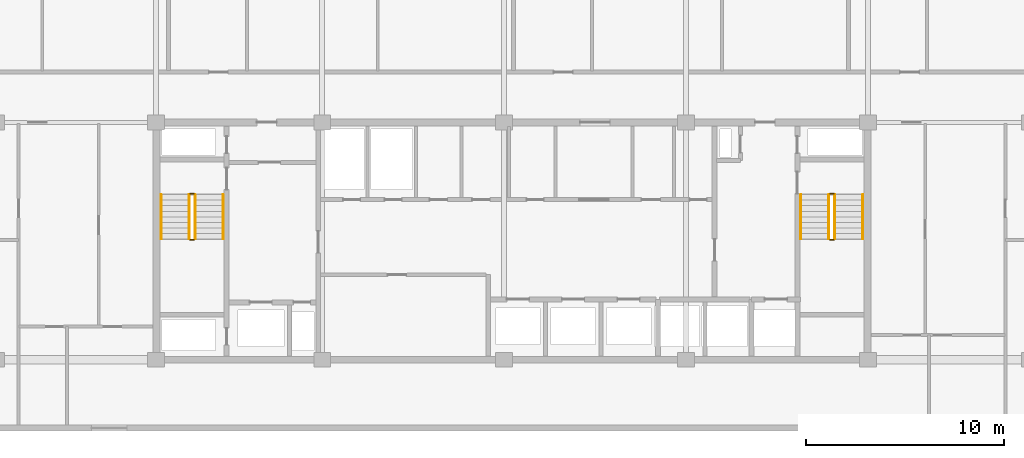
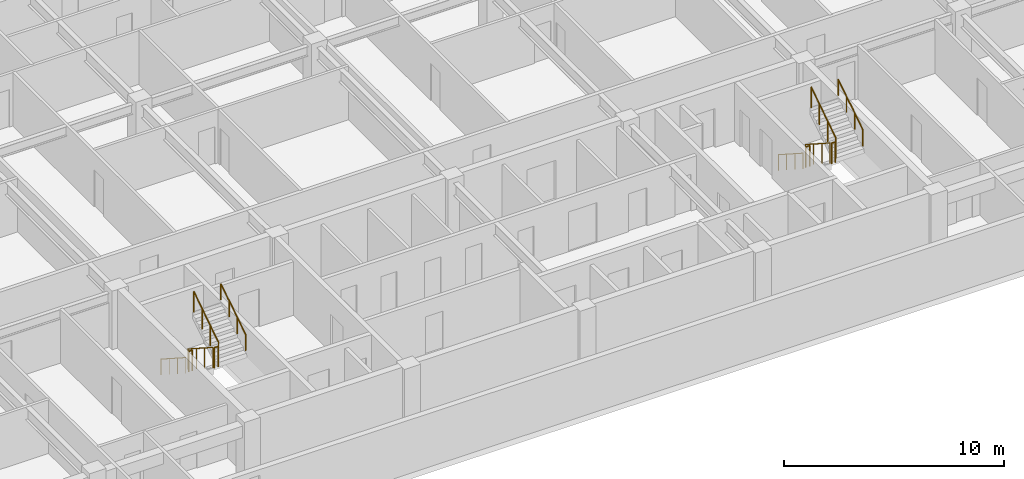
# One storey, part 22 of 23: 12 railings.
"""IFC4 building model written with IfcOpenShell, lengths in metres."""

import ifcopenshell
import ifcopenshell.guid

model = None  # the IFC model being written
_history = None  # IfcOwnerHistory: only IFC2X3 demands one
_inside = {}  # id of a spatial element -> (the spatial element, [elements in it])
_under = {}  # id of a project, library or spatial element -> (it, [spatial elements below it])
_declared = {}  # id of a project -> (the project, [libraries it declares])
_typed = {}  # id of a type object -> (the type object, [elements of that type])
_made_of = {}  # id of a material, layer set ... -> (it, [elements and type objects made of it])


def new_model(schema):
    """Start an empty IFC model of exactly this schema.

    Asked for "IFC4X3", IfcOpenShell would pick the latest addendum, in which some entities
    have other attributes; the version numbers below select the first issue.
    IFC2X3 requires an IfcOwnerHistory on every rooted entity: one is made here for all.
    """
    global model, _history
    if schema == "IFC4X3":
        model = ifcopenshell.file(schema_version=(4, 3, 0, 0))
    else:
        model = ifcopenshell.file(schema=schema)
    _inside.clear()
    _under.clear()
    _declared.clear()
    _typed.clear()
    _made_of.clear()
    _history = None
    if model.schema == "IFC2X3":
        org = make("IfcOrganization", Name="unknown")
        user = make(
            "IfcPersonAndOrganization",
            ThePerson=make("IfcPerson", FamilyName="unknown"),
            TheOrganization=org,
        )
        app = make(
            "IfcApplication",
            ApplicationDeveloper=org,
            Version="unknown",
            ApplicationFullName="unknown",
            ApplicationIdentifier="unknown",
        )
        _history = make(
            "IfcOwnerHistory",
            OwningUser=user,
            OwningApplication=app,
            ChangeAction="ADDED",
            CreationDate=0,
        )
    return model


def make(cls, **values):
    """One entity of the class cls with the attributes given. An attribute that is None is left unset."""
    return model.create_entity(
        cls, **{name: value for name, value in values.items() if value is not None}
    )


def rooted(cls, **values):
    """An entity with a GlobalId (a new one), such as an element, a storey or a relation."""
    return make(cls, GlobalId=ifcopenshell.guid.new(), OwnerHistory=_history, **values)


def si_unit(unit_type, name, prefix=None):
    """IfcSIUnit, for example si_unit("LENGTHUNIT", "METRE", prefix="MILLI")."""
    return make("IfcSIUnit", UnitType=unit_type, Prefix=prefix, Name=name)


def assignment(units):
    """IfcUnitAssignment: the units of a project."""
    return None if units is None else make("IfcUnitAssignment", Units=units)


def point(xyz):
    """IfcCartesianPoint."""
    return None if xyz is None else make("IfcCartesianPoint", Coordinates=xyz)


def direction(xyz):
    """IfcDirection."""
    return None if xyz is None else make("IfcDirection", DirectionRatios=xyz)


def frame(location, z_axis=None, x_axis=None):
    """IfcAxis2Placement3D, a coordinate frame: its origin and axes. An axis left out is left unset."""
    return make(
        "IfcAxis2Placement3D",
        Location=point(location),
        Axis=direction(z_axis),
        RefDirection=direction(x_axis),
    )


def frame_2d(location, x_axis=None):
    """IfcAxis2Placement2D, a coordinate frame in the plane: its origin and x axis."""
    return make(
        "IfcAxis2Placement2D", Location=point(location), RefDirection=direction(x_axis)
    )


def origin():
    """The frame at (0, 0, 0) with its axes left unset."""
    return frame((0.0, 0.0, 0.0))


def origin_2d():
    """The frame at (0, 0) in the plane with its x axis left unset."""
    return frame_2d((0.0, 0.0))


def place(relative_to, where):
    """IfcLocalPlacement: puts the frame where relative to a parent placement (None: the world)."""
    return make(
        "IfcLocalPlacement", PlacementRelTo=relative_to, RelativePlacement=where
    )


def context(
    kind, dimensions, precision=None, world=None, true_north=None, identifier=None
):
    """IfcGeometricRepresentationContext, for example the 3D "Model" context."""
    return make(
        "IfcGeometricRepresentationContext",
        ContextIdentifier=identifier,
        ContextType=kind,
        CoordinateSpaceDimension=dimensions,
        Precision=precision,
        WorldCoordinateSystem=world,
        TrueNorth=true_north,
    )


def subcontext(parent, identifier, kind, view, scale=None):
    """IfcGeometricRepresentationSubContext, for example "Body" below "Model"."""
    return make(
        "IfcGeometricRepresentationSubContext",
        ContextIdentifier=identifier,
        ContextType=kind,
        ParentContext=parent,
        TargetScale=scale,
        TargetView=view,
    )


def project(units=None, contexts=None):
    """IfcProject with its units and contexts."""
    return rooted(
        "IfcProject",
        Name="project",
        RepresentationContexts=contexts,
        UnitsInContext=assignment(units),
    )


def spatial(cls, under=None, at=None, **own):
    """A site, building, storey or space (cls), placed at a placement, below another one or the project."""
    s = rooted(cls, ObjectPlacement=at, **own)
    if under is not None:
        _under.setdefault(under.id(), (under, []))[1].append(s)
    return s


def profile(cls, at=None, kind="AREA", **sizes):
    """A parametric profile (cls). Its sizes go by their IFC names, for example OverallWidth=200.0."""
    return make(cls, ProfileType=kind, Position=at, **sizes)


def circle(**sizes):
    """IfcCircleProfileDef."""
    return profile("IfcCircleProfileDef", **sizes)


def extrude(swept, where, along, depth):
    """IfcExtrudedAreaSolid: the profile swept, set in the frame where, extruded along a direction by depth."""
    return make(
        "IfcExtrudedAreaSolid",
        SweptArea=swept,
        Position=where,
        ExtrudedDirection=direction(along),
        Depth=depth,
    )


def shape(context_of_items, identifier, shape_type, items):
    """IfcShapeRepresentation: the items that make up one representation, for example the "Body"."""
    return make(
        "IfcShapeRepresentation",
        ContextOfItems=context_of_items,
        RepresentationIdentifier=identifier,
        RepresentationType=shape_type,
        Items=items,
    )


def material(Name=None, Category=None):
    """IfcMaterial."""
    return make("IfcMaterial", Name=Name, Category=Category)


def made_of(thing, what):
    """Note that an element or type object is made of a material, layer set ...; save() writes the relation."""
    if what is not None:
        _made_of.setdefault(what.id(), (what, []))[1].append(thing)
    return thing


def type_object(cls, material=None, **own):
    """A type object (cls), such as IfcWallType, which elements share."""
    return made_of(rooted(cls, **own), material)


def element(
    cls,
    number,
    at=None,
    inside=None,
    cuts=None,
    type_object=None,
    material=None,
    context=None,
    identifier="Body",
    shape_type=None,
    held_by="IfcProductDefinitionShape",
    body=None,
    shapes=None,
    **own,
):
    """One element of the class cls, such as IfcWall. Its Tag is "e" and its number.

    at: its placement. inside: the storey or other place that contains it. cuts: it is an
    opening in that element (IfcRelVoidsElement). A single representation is given by context,
    identifier, shape_type and body (its items); several are given by shapes. held_by: the class
    of the entity that holds the representations. save() writes the other relations.
    """
    e = rooted(cls, Tag="e%d" % number, ObjectPlacement=at, **own)
    if body is not None:
        shapes = [shape(context, identifier, shape_type, body)]
    if shapes is not None:
        e.Representation = make(held_by, Representations=shapes)
    if inside is not None:
        _inside.setdefault(inside.id(), (inside, []))[1].append(e)
    if cuts is not None:
        rooted(
            "IfcRelVoidsElement", RelatingBuildingElement=cuts, RelatedOpeningElement=e
        )
    if type_object is not None:
        _typed.setdefault(type_object.id(), (type_object, []))[1].append(e)
    return made_of(e, material)


def aggregate(whole, parts):
    """IfcRelAggregates: a whole, such as a stair, and the parts it consists of."""
    return rooted("IfcRelAggregates", RelatingObject=whole, RelatedObjects=parts)


def save(model, path):
    """Write the relations noted so far, then the file.

    IfcRelAggregates (storeys below a building ...), IfcRelContainedInSpatialStructure (elements
    in a storey), IfcRelDefinesByType, IfcRelAssociatesMaterial and IfcRelDeclares: one each for
    every whole, place, type object, material and project.
    """
    for whole, parts in _under.values():
        aggregate(whole, parts)
    for where, things in _inside.values():
        rooted(
            "IfcRelContainedInSpatialStructure",
            RelatedElements=things,
            RelatingStructure=where,
        )
    for kind, things in _typed.values():
        rooted("IfcRelDefinesByType", RelatedObjects=things, RelatingType=kind)
    for what, things in _made_of.values():
        rooted("IfcRelAssociatesMaterial", RelatedObjects=things, RelatingMaterial=what)
    for by, libraries in _declared.values():
        rooted("IfcRelDeclares", RelatingContext=by, RelatedDefinitions=libraries)
    model.write(path)


model = new_model("IFC4")

# Units and contexts
model_context = context("Model", 3, precision=1e-05, world=origin(), true_north=direction((0.0, 1.0)))
body_context = subcontext(model_context, "Body", "Model", "MODEL_VIEW")
ifc_project = project(units=[si_unit("LENGTHUNIT", "METRE"), si_unit("AREAUNIT", "SQUARE_METRE"), si_unit("VOLUMEUNIT", "CUBIC_METRE"), si_unit("PLANEANGLEUNIT", "RADIAN"), si_unit("MASSUNIT", "GRAM", prefix="KILO")], contexts=[model_context])

# Site, building, storey
site_placement = place(None, origin())
site = spatial("IfcSite", under=ifc_project, at=site_placement, CompositionType="ELEMENT")
building_placement = place(site_placement, origin())
building = spatial("IfcBuilding", under=site, at=building_placement, Name="Korimba Cascade Residences", CompositionType="ELEMENT")
storey_placement = place(building_placement, frame((0.0, 0.0, 162.10009765625)))
storey = spatial("IfcBuildingStorey", under=building, at=storey_placement, Name="L46", CompositionType="ELEMENT", Elevation=162.10009765625)

# Railings
ifc_material_1 = material(Name="Painted Steel Stairwell Guardrail", Category="steel")
railing_type_1 = type_object("IfcRailingType", Name="RLG-ST-GD1150", PredefinedType="GUARDRAIL", material=ifc_material_1)
railing_1_placement = place(storey_placement, frame((77.77001953125, 63.550048828125, 0.180419921875)))
element("IfcRailing", 1, at=railing_1_placement, inside=storey, type_object=railing_type_1, Name="L46 ST-W1 stair guard 1", PredefinedType="GUARDRAIL", context=body_context, shape_type="SweptSolid", body=[
    extrude(circle(Radius=0.02392578125, at=origin_2d()), frame((0.0, 0.0, 1.1259765625), z_axis=(0.0, -0.840394893359, 0.541974559565), x_axis=(1.0, 0.0, 0.0)), (0.0, 0.0, 1.0), 2.665283203125),
    extrude(circle(Radius=0.02099609375, at=origin_2d()), origin(), (0.0, 0.0, 1.0), 1.101806640625),
    extrude(circle(Radius=0.02099609375, at=origin_2d()), frame((0.0, -0.74658203125, 0.4814453125)), (0.0, 0.0, 1.0), 1.101806640625),
    extrude(circle(Radius=0.02099609375, at=origin_2d()), frame((0.0, -1.493408203125, 0.963134765625)), (0.0, 0.0, 1.0), 1.101806640625),
    extrude(circle(Radius=0.02099609375, at=origin_2d()), frame((0.0, -2.239990234375, 1.444580078125)), (0.0, 0.0, 1.0), 1.101806640625),
])
railing_2_placement = place(storey_placement, frame((77.820068359375, 61.260009765625, 1.625)))
element("IfcRailing", 2, at=railing_2_placement, inside=storey, type_object=railing_type_1, Name="L46 ST-W1 stair guard 2", PredefinedType="GUARDRAIL", context=body_context, shape_type="SweptSolid", body=[
    extrude(circle(Radius=0.02392578125, at=origin_2d()), frame((0.0, 0.0, 1.1259765625), z_axis=(1.0, 0.0, 0.0), x_axis=(0.0, 1.0, 0.0)), (0.0, 0.0, 1.0), 0.199951171875),
    extrude(circle(Radius=0.02099609375, at=origin_2d()), origin(), (0.0, 0.0, 1.0), 1.101806640625),
    extrude(circle(Radius=0.02099609375, at=origin_2d()), frame((0.199951171875, 0.0, 0.0)), (0.0, 0.0, 1.0), 1.101806640625),
])
railing_3_placement = place(storey_placement, frame((78.070068359375, 61.31005859375, 1.805419921875)))
element("IfcRailing", 3, at=railing_3_placement, inside=storey, type_object=railing_type_1, Name="L46 ST-W1 stair guard 3", PredefinedType="GUARDRAIL", context=body_context, shape_type="SweptSolid", body=[
    extrude(circle(Radius=0.02392578125, at=origin_2d()), frame((0.0, 0.0, 1.1259765625), z_axis=(0.0, 0.840394893359, 0.541974559565), x_axis=(-1.0, 0.0, 0.0)), (0.0, 0.0, 1.0), 2.665283203125),
    extrude(circle(Radius=0.02099609375, at=origin_2d()), origin(), (0.0, 0.0, 1.0), 1.101806640625),
    extrude(circle(Radius=0.02099609375, at=origin_2d()), frame((0.0, 0.74658203125, 0.4814453125)), (0.0, 0.0, 1.0), 1.101806640625),
    extrude(circle(Radius=0.02099609375, at=origin_2d()), frame((0.0, 1.493408203125, 0.963134765625)), (0.0, 0.0, 1.0), 1.101806640625),
    extrude(circle(Radius=0.02099609375, at=origin_2d()), frame((0.0, 2.239990234375, 1.444580078125)), (0.0, 0.0, 1.0), 1.101806640625),
])
railing_4_placement = place(storey_placement, frame((77.820068359375, 63.60009765625, 0.0)))
element("IfcRailing", 4, at=railing_4_placement, inside=storey, type_object=railing_type_1, Name="L46 ST-W1 stair guard 4", PredefinedType="GUARDRAIL", context=body_context, shape_type="SweptSolid", body=[
    extrude(circle(Radius=0.02392578125, at=origin_2d()), frame((0.0, 0.0, 1.1259765625), z_axis=(1.0, 0.0, 0.0), x_axis=(0.0, 1.0, 0.0)), (0.0, 0.0, 1.0), 0.199951171875),
    extrude(circle(Radius=0.02099609375, at=origin_2d()), origin(), (0.0, 0.0, 1.0), 1.101806640625),
    extrude(circle(Radius=0.02099609375, at=origin_2d()), frame((0.199951171875, 0.0, 0.0)), (0.0, 0.0, 1.0), 1.101806640625),
])
railing_5_placement = place(storey_placement, frame((110.1298828125, 63.550048828125, 0.180419921875)))
element("IfcRailing", 5, at=railing_5_placement, inside=storey, type_object=railing_type_1, Name="L46 ST-W2 stair guard 1", PredefinedType="GUARDRAIL", context=body_context, shape_type="SweptSolid", body=[
    extrude(circle(Radius=0.02392578125, at=origin_2d()), frame((0.0, 0.0, 1.1259765625), z_axis=(0.0, -0.840394893359, 0.541974559565), x_axis=(1.0, 0.0, 0.0)), (0.0, 0.0, 1.0), 2.665283203125),
    extrude(circle(Radius=0.02099609375, at=origin_2d()), origin(), (0.0, 0.0, 1.0), 1.101806640625),
    extrude(circle(Radius=0.02099609375, at=origin_2d()), frame((0.0, -0.74658203125, 0.4814453125)), (0.0, 0.0, 1.0), 1.101806640625),
    extrude(circle(Radius=0.02099609375, at=origin_2d()), frame((0.0, -1.493408203125, 0.963134765625)), (0.0, 0.0, 1.0), 1.101806640625),
    extrude(circle(Radius=0.02099609375, at=origin_2d()), frame((0.0, -2.239990234375, 1.444580078125)), (0.0, 0.0, 1.0), 1.101806640625),
])
railing_6_placement = place(storey_placement, frame((110.179931640625, 61.260009765625, 1.625)))
element("IfcRailing", 6, at=railing_6_placement, inside=storey, type_object=railing_type_1, Name="L46 ST-W2 stair guard 2", PredefinedType="GUARDRAIL", context=body_context, shape_type="SweptSolid", body=[
    extrude(circle(Radius=0.02392578125, at=origin_2d()), frame((0.0, 0.0, 1.1259765625), z_axis=(1.0, 0.0, 0.0), x_axis=(0.0, 1.0, 0.0)), (0.0, 0.0, 1.0), 0.199951171875),
    extrude(circle(Radius=0.02099609375, at=origin_2d()), origin(), (0.0, 0.0, 1.0), 1.101806640625),
    extrude(circle(Radius=0.02099609375, at=origin_2d()), frame((0.199951171875, 0.0, 0.0)), (0.0, 0.0, 1.0), 1.101806640625),
])
railing_7_placement = place(storey_placement, frame((110.429931640625, 61.31005859375, 1.805419921875)))
element("IfcRailing", 7, at=railing_7_placement, inside=storey, type_object=railing_type_1, Name="L46 ST-W2 stair guard 3", PredefinedType="GUARDRAIL", context=body_context, shape_type="SweptSolid", body=[
    extrude(circle(Radius=0.02392578125, at=origin_2d()), frame((0.0, 0.0, 1.1259765625), z_axis=(0.0, 0.840394893359, 0.541974559565), x_axis=(-1.0, 0.0, 0.0)), (0.0, 0.0, 1.0), 2.665283203125),
    extrude(circle(Radius=0.02099609375, at=origin_2d()), origin(), (0.0, 0.0, 1.0), 1.101806640625),
    extrude(circle(Radius=0.02099609375, at=origin_2d()), frame((0.0, 0.74658203125, 0.4814453125)), (0.0, 0.0, 1.0), 1.101806640625),
    extrude(circle(Radius=0.02099609375, at=origin_2d()), frame((0.0, 1.493408203125, 0.963134765625)), (0.0, 0.0, 1.0), 1.101806640625),
    extrude(circle(Radius=0.02099609375, at=origin_2d()), frame((0.0, 2.239990234375, 1.444580078125)), (0.0, 0.0, 1.0), 1.101806640625),
])
railing_8_placement = place(storey_placement, frame((110.179931640625, 63.60009765625, 0.0)))
element("IfcRailing", 8, at=railing_8_placement, inside=storey, type_object=railing_type_1, Name="L46 ST-W2 stair guard 4", PredefinedType="GUARDRAIL", context=body_context, shape_type="SweptSolid", body=[
    extrude(circle(Radius=0.02392578125, at=origin_2d()), frame((0.0, 0.0, 1.1259765625), z_axis=(1.0, 0.0, 0.0), x_axis=(0.0, 1.0, 0.0)), (0.0, 0.0, 1.0), 0.199951171875),
    extrude(circle(Radius=0.02099609375, at=origin_2d()), origin(), (0.0, 0.0, 1.0), 1.101806640625),
    extrude(circle(Radius=0.02099609375, at=origin_2d()), frame((0.199951171875, 0.0, 0.0)), (0.0, 0.0, 1.0), 1.101806640625),
])
ifc_material_2 = material(Name="Brushed Stainless Steel Handrail", Category="steel")
railing_type_2 = type_object("IfcRailingType", Name="RLG-ST-HR900", PredefinedType="HANDRAIL", material=ifc_material_2)
railing_9_placement = place(storey_placement, frame((76.35009765625, 63.550048828125, 0.36474609375)))
element("IfcRailing", 9, at=railing_9_placement, inside=storey, type_object=railing_type_2, Name="L46 ST-W1 stair handrail 1", PredefinedType="HANDRAIL", context=body_context, shape_type="SweptSolid", body=[
    extrude(circle(Radius=0.02392578125, at=origin_2d()), frame((0.0, 0.0, 0.8759765625), z_axis=(0.0, -0.840394893359, 0.541974559565), x_axis=(1.0, 0.0, 0.0)), (0.0, 0.0, 1.0), 2.665283203125),
    extrude(circle(Radius=0.02099609375, at=origin_2d()), origin(), (0.0, 0.0, 1.0), 0.851806640625),
    extrude(circle(Radius=0.02099609375, at=origin_2d()), frame((0.0, -0.74658203125, 0.4814453125)), (0.0, 0.0, 1.0), 0.851806640625),
    extrude(circle(Radius=0.02099609375, at=origin_2d()), frame((0.0, -1.493408203125, 0.963134765625)), (0.0, 0.0, 1.0), 0.851806640625),
    extrude(circle(Radius=0.02099609375, at=origin_2d()), frame((0.0, -2.239990234375, 1.444580078125)), (0.0, 0.0, 1.0), 0.851806640625),
])
railing_10_placement = place(storey_placement, frame((79.489990234375, 61.31005859375, 1.98974609375)))
element("IfcRailing", 10, at=railing_10_placement, inside=storey, type_object=railing_type_2, Name="L46 ST-W1 stair handrail 2", PredefinedType="HANDRAIL", context=body_context, shape_type="SweptSolid", body=[
    extrude(circle(Radius=0.02392578125, at=origin_2d()), frame((0.0, 0.0, 0.8759765625), z_axis=(0.0, 0.840394893359, 0.541974559565), x_axis=(-1.0, 0.0, 0.0)), (0.0, 0.0, 1.0), 2.665283203125),
    extrude(circle(Radius=0.02099609375, at=origin_2d()), origin(), (0.0, 0.0, 1.0), 0.851806640625),
    extrude(circle(Radius=0.02099609375, at=origin_2d()), frame((0.0, 0.74658203125, 0.4814453125)), (0.0, 0.0, 1.0), 0.851806640625),
    extrude(circle(Radius=0.02099609375, at=origin_2d()), frame((0.0, 1.493408203125, 0.963134765625)), (0.0, 0.0, 1.0), 0.851806640625),
    extrude(circle(Radius=0.02099609375, at=origin_2d()), frame((0.0, 2.239990234375, 1.444580078125)), (0.0, 0.0, 1.0), 0.851806640625),
])
railing_11_placement = place(storey_placement, frame((108.7099609375, 63.550048828125, 0.36474609375)))
element("IfcRailing", 11, at=railing_11_placement, inside=storey, type_object=railing_type_2, Name="L46 ST-W2 stair handrail 1", PredefinedType="HANDRAIL", context=body_context, shape_type="SweptSolid", body=[
    extrude(circle(Radius=0.02392578125, at=origin_2d()), frame((0.0, 0.0, 0.8759765625), z_axis=(0.0, -0.840394893359, 0.541974559565), x_axis=(1.0, 0.0, 0.0)), (0.0, 0.0, 1.0), 2.665283203125),
    extrude(circle(Radius=0.02099609375, at=origin_2d()), origin(), (0.0, 0.0, 1.0), 0.851806640625),
    extrude(circle(Radius=0.02099609375, at=origin_2d()), frame((0.0, -0.74658203125, 0.4814453125)), (0.0, 0.0, 1.0), 0.851806640625),
    extrude(circle(Radius=0.02099609375, at=origin_2d()), frame((0.0, -1.493408203125, 0.963134765625)), (0.0, 0.0, 1.0), 0.851806640625),
    extrude(circle(Radius=0.02099609375, at=origin_2d()), frame((0.0, -2.239990234375, 1.444580078125)), (0.0, 0.0, 1.0), 0.851806640625),
])
railing_12_placement = place(storey_placement, frame((111.85009765625, 61.31005859375, 1.98974609375)))
element("IfcRailing", 12, at=railing_12_placement, inside=storey, type_object=railing_type_2, Name="L46 ST-W2 stair handrail 2", PredefinedType="HANDRAIL", context=body_context, shape_type="SweptSolid", body=[
    extrude(circle(Radius=0.02392578125, at=origin_2d()), frame((0.0, 0.0, 0.8759765625), z_axis=(0.0, 0.840394893359, 0.541974559565), x_axis=(-1.0, 0.0, 0.0)), (0.0, 0.0, 1.0), 2.665283203125),
    extrude(circle(Radius=0.02099609375, at=origin_2d()), origin(), (0.0, 0.0, 1.0), 0.851806640625),
    extrude(circle(Radius=0.02099609375, at=origin_2d()), frame((0.0, 0.74658203125, 0.4814453125)), (0.0, 0.0, 1.0), 0.851806640625),
    extrude(circle(Radius=0.02099609375, at=origin_2d()), frame((0.0, 1.493408203125, 0.963134765625)), (0.0, 0.0, 1.0), 0.851806640625),
    extrude(circle(Radius=0.02099609375, at=origin_2d()), frame((0.0, 2.239990234375, 1.444580078125)), (0.0, 0.0, 1.0), 0.851806640625),
])

save(model, "model.ifc")
